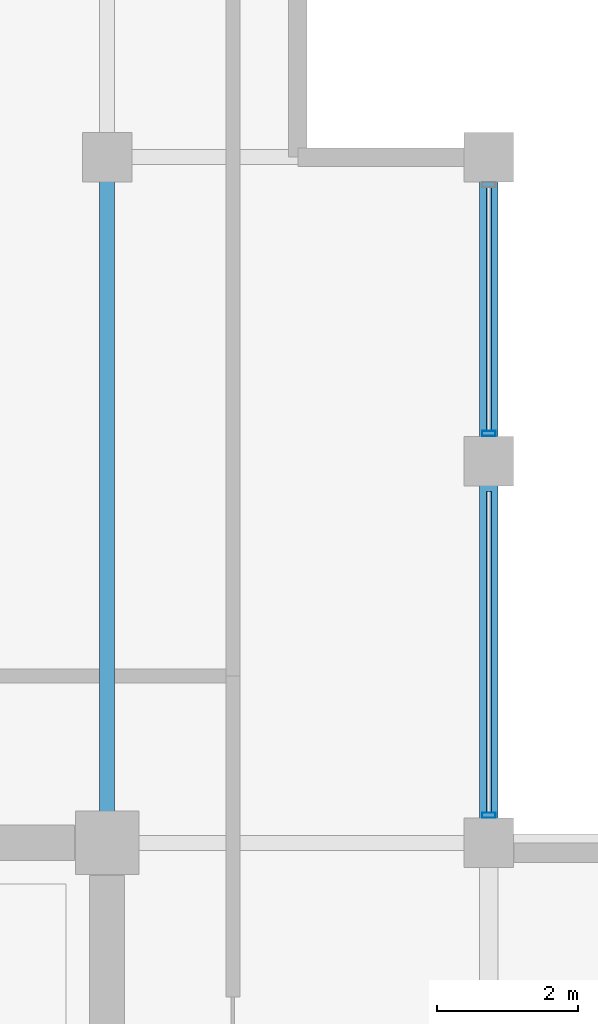
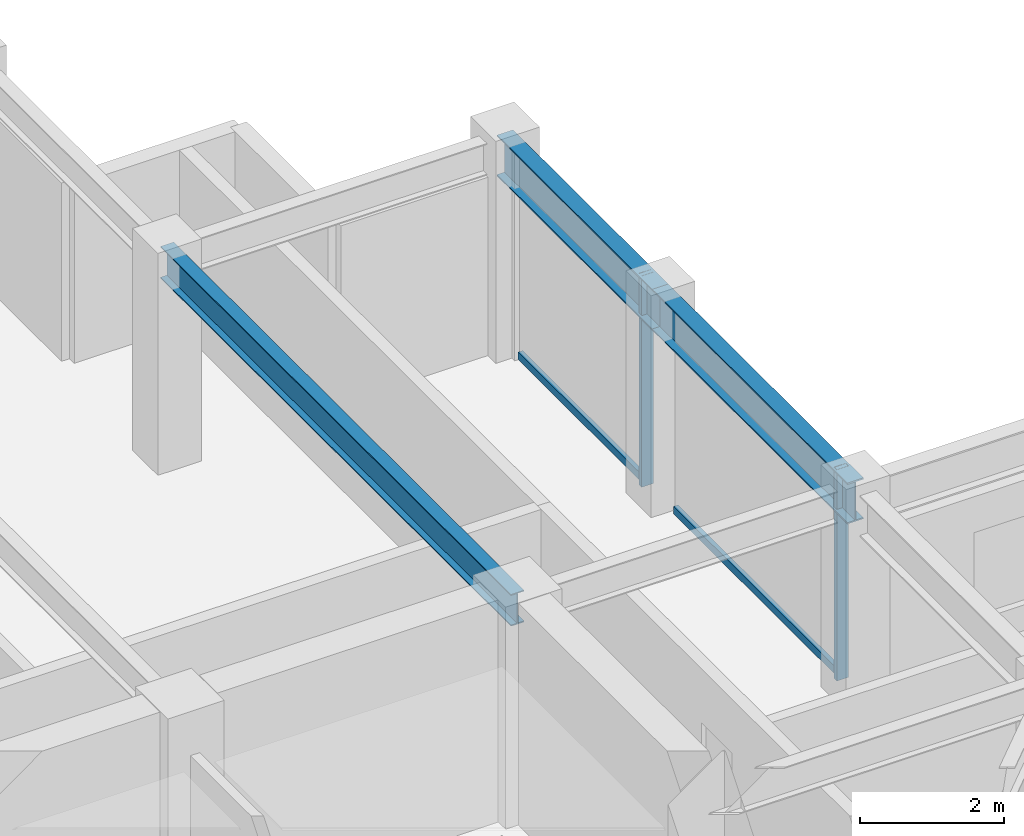
# One storey, part 19 of 31: 4 members, 3 beams, 1 element without a shape of its own.
"""IFC4 building model written with IfcOpenShell, lengths in metres."""

from ifc_helpers import new_model, si_unit, direction, frame, origin, origin_2d, place, context, subcontext, project, spatial, hollow_rectangle, i_section, extrude, material, layer, layer_set, material_profile, profile_set, type_object, element, aggregate, save


model = new_model("IFC4")

# Units and contexts
model_context = context("Model", 3, precision=1e-05, world=origin(), true_north=direction((0.0, 1.0)))
body_context = subcontext(model_context, "Body", "Model", "MODEL_VIEW")
ifc_project = project(units=[si_unit("LENGTHUNIT", "METRE"), si_unit("AREAUNIT", "SQUARE_METRE"), si_unit("VOLUMEUNIT", "CUBIC_METRE"), si_unit("PLANEANGLEUNIT", "RADIAN"), si_unit("MASSUNIT", "GRAM", prefix="KILO")], contexts=[model_context])

# Site, building, storey
site_placement = place(None, origin())
site = spatial("IfcSite", under=ifc_project, at=site_placement, CompositionType="ELEMENT")
building_placement = place(site_placement, origin())
building = spatial("IfcBuilding", under=site, at=building_placement, Name="Surkhivell Harbour Commons", CompositionType="ELEMENT")
storey_placement = place(building_placement, frame((0.0, 0.0, 266.25)))
storey = spatial("IfcBuildingStorey", under=building, at=storey_placement, Name="L69", CompositionType="ELEMENT", Elevation=266.25)

# Beams
ifc_material_1 = material(Name="Steel S355", Category="steel")
ifc_material_profile_1 = material_profile(ifc_material_1, i_section(OverallWidth=0.2099609375, OverallDepth=0.537109375, WebThickness=0.0107421875, FlangeThickness=0.017333984375, at=origin_2d()), Name="UB533x210x101")
ifc_profile_set_1 = profile_set([ifc_material_profile_1], Name="Steel S355")
beam_type_1 = type_object("IfcBeamType", Name="BM-GRD-533B", PredefinedType="BEAM", material=ifc_profile_set_1)
beam_1_placement = place(storey_placement, frame((10.800048828125, 10.800048828125, 3.301513671875), z_axis=(0.0, 1.0, 0.0), x_axis=(-1.0, 0.0, 0.0)))
element("IfcBeam", 1, at=beam_1_placement, inside=storey, type_object=beam_type_1, Name="L69 Floor Girder (10.8,10.8)", PredefinedType="BEAM", context=body_context, shape_type="SweptSolid", body=[
    extrude(i_section(OverallWidth=0.2099609375, OverallDepth=0.537109375, WebThickness=0.0107421875, FlangeThickness=0.017333984375, at=origin_2d()), origin(), (0.0, 0.0, 1.0), 9.699951171875),
])
ifc_material_profile_2 = material_profile(ifc_material_1, i_section(OverallWidth=0.256103515625, OverallDepth=0.693115234375, WebThickness=0.014404296875, FlangeThickness=0.023681640625, at=origin_2d()), Name="UB686x254x170")
ifc_profile_set_2 = profile_set([ifc_material_profile_2], Name="Steel S355")
beam_type_2 = type_object("IfcBeamType", Name="BM-SPN-686", PredefinedType="SPANDREL", material=ifc_profile_set_2)
beam_2_placement = place(storey_placement, frame((16.199951171875, 10.800048828125, 3.223388671875), z_axis=(0.0, 1.0, 0.0), x_axis=(-1.0, 0.0, 0.0)))
element("IfcBeam", 2, at=beam_2_placement, inside=storey, type_object=beam_type_2, Name="L69 Tube Spandrel (16.2,10.8)", PredefinedType="SPANDREL", context=body_context, shape_type="SweptSolid", body=[
    extrude(i_section(OverallWidth=0.256103515625, OverallDepth=0.693115234375, WebThickness=0.014404296875, FlangeThickness=0.023681640625, at=origin_2d()), origin(), (0.0, 0.0, 1.0), 5.39990234375),
])
beam_3_placement = place(storey_placement, frame((16.199951171875, 16.199951171875, 3.223388671875), z_axis=(0.0, 1.0, 0.0), x_axis=(-1.0, 0.0, 0.0)))
element("IfcBeam", 3, at=beam_3_placement, inside=storey, type_object=beam_type_2, Name="L69 Tube Spandrel (16.2,16.2)", PredefinedType="SPANDREL", context=body_context, shape_type="SweptSolid", body=[
    extrude(i_section(OverallWidth=0.256103515625, OverallDepth=0.693115234375, WebThickness=0.014404296875, FlangeThickness=0.023681640625, at=origin_2d()), origin(), (0.0, 0.0, 1.0), 4.300048828125),
])

# Curtain wall, members
ifc_material_2 = material(Name="Anodised pale-metal aluminium and insulated glazing", Category="aluminium")
ifc_layer = layer(ifc_material_2, 0.175048828125)
ifc_layer_set = layer_set([ifc_layer], Name="Anodised pale-metal aluminium and insulated glazing")
curtain_wall_type = type_object("IfcCurtainWallType", Name="CW-SYS-Z4", PredefinedType="NOTDEFINED", material=ifc_layer_set)
curtain_wall_placement = place(storey_placement, origin())
curtain_wall = element("IfcCurtainWall", 4, at=curtain_wall_placement, inside=storey, type_object=curtain_wall_type, Name="L69 Curtain Wall CW-L69-E02R2", PredefinedType="NOTDEFINED")
ifc_material_3 = material(Name="Anodised pale-metal aluminium alloy 6063-T6", Category="aluminium")
ifc_material_profile_3 = material_profile(ifc_material_3, hollow_rectangle(XDim=0.074951171875, YDim=0.18994140625, WallThickness=0.00390625, at=origin_2d()), Name="ALU-MULL-75x190")
ifc_profile_set_3 = profile_set([ifc_material_profile_3], Name="Anodised pale-metal aluminium alloy 6063-T6")
member_type_1 = type_object("IfcMemberType", Name="CWM-190", PredefinedType="MULLION", material=ifc_profile_set_3)
member_1_placement = place(storey_placement, frame((16.199951171875, 11.189453125, 0.0), z_axis=(0.0, 0.0, 1.0), x_axis=(0.0, 1.0, 0.0)))
member_1 = element("IfcMember", 5, at=member_1_placement, type_object=member_type_1, Name="CW-Z4 mullion 1", PredefinedType="MULLION", context=body_context, shape_type="SweptSolid", body=[
    extrude(hollow_rectangle(XDim=0.074951171875, YDim=0.18994140625, WallThickness=0.00390625, at=origin_2d()), origin(), (0.0, 0.0, 1.0), 3.570068359375),
])
member_2_placement = place(storey_placement, frame((16.199951171875, 16.589599609375, 0.0), z_axis=(0.0, 0.0, 1.0), x_axis=(0.0, 1.0, 0.0)))
member_2 = element("IfcMember", 6, at=member_2_placement, type_object=member_type_1, Name="CW-Z4 mullion 2", PredefinedType="MULLION", context=body_context, shape_type="SweptSolid", body=[
    extrude(hollow_rectangle(XDim=0.074951171875, YDim=0.18994140625, WallThickness=0.00390625, at=origin_2d()), origin(), (0.0, 0.0, 1.0), 3.570068359375),
])
ifc_material_4 = material(Name="Champagne anodised aluminium alloy 6063-T6", Category="aluminium")
ifc_material_profile_4 = material_profile(ifc_material_4, hollow_rectangle(XDim=0.070068359375, YDim=0.1298828125, WallThickness=0.00341796875, at=origin_2d()), Name="ALU-TRAN-70x130")
ifc_profile_set_4 = profile_set([ifc_material_profile_4], Name="Champagne anodised aluminium alloy 6063-T6")
member_type_2 = type_object("IfcMemberType", Name="CWT-130", PredefinedType="USERDEFINED", material=ifc_profile_set_4)
member_3_placement = place(storey_placement, frame((16.199951171875, 11.22705078125, 0.06494140625), z_axis=(0.0, 1.0, 0.0), x_axis=(-1.0, 0.0, 0.0)))
member_3 = element("IfcMember", 7, at=member_3_placement, type_object=member_type_2, Name="CW-Z4 transom 1.1", ObjectType="TRANSOM", PredefinedType="USERDEFINED", context=body_context, shape_type="SweptSolid", body=[
    extrude(hollow_rectangle(XDim=0.070068359375, YDim=0.1298828125, WallThickness=0.00341796875, at=origin_2d()), origin(), (0.0, 0.0, 1.0), 4.5458984375),
])
member_4_placement = place(storey_placement, frame((16.199951171875, 16.626953125, 0.06494140625), z_axis=(0.0, 1.0, 0.0), x_axis=(-1.0, 0.0, 0.0)))
member_4 = element("IfcMember", 8, at=member_4_placement, type_object=member_type_2, Name="CW-Z4 transom 2.1", ObjectType="TRANSOM", PredefinedType="USERDEFINED", context=body_context, shape_type="SweptSolid", body=[
    extrude(hollow_rectangle(XDim=0.070068359375, YDim=0.1298828125, WallThickness=0.00341796875, at=origin_2d()), origin(), (0.0, 0.0, 1.0), 3.446044921875),
])
aggregate(curtain_wall, [member_1, member_3, member_2, member_4])

save(model, "model.ifc")
